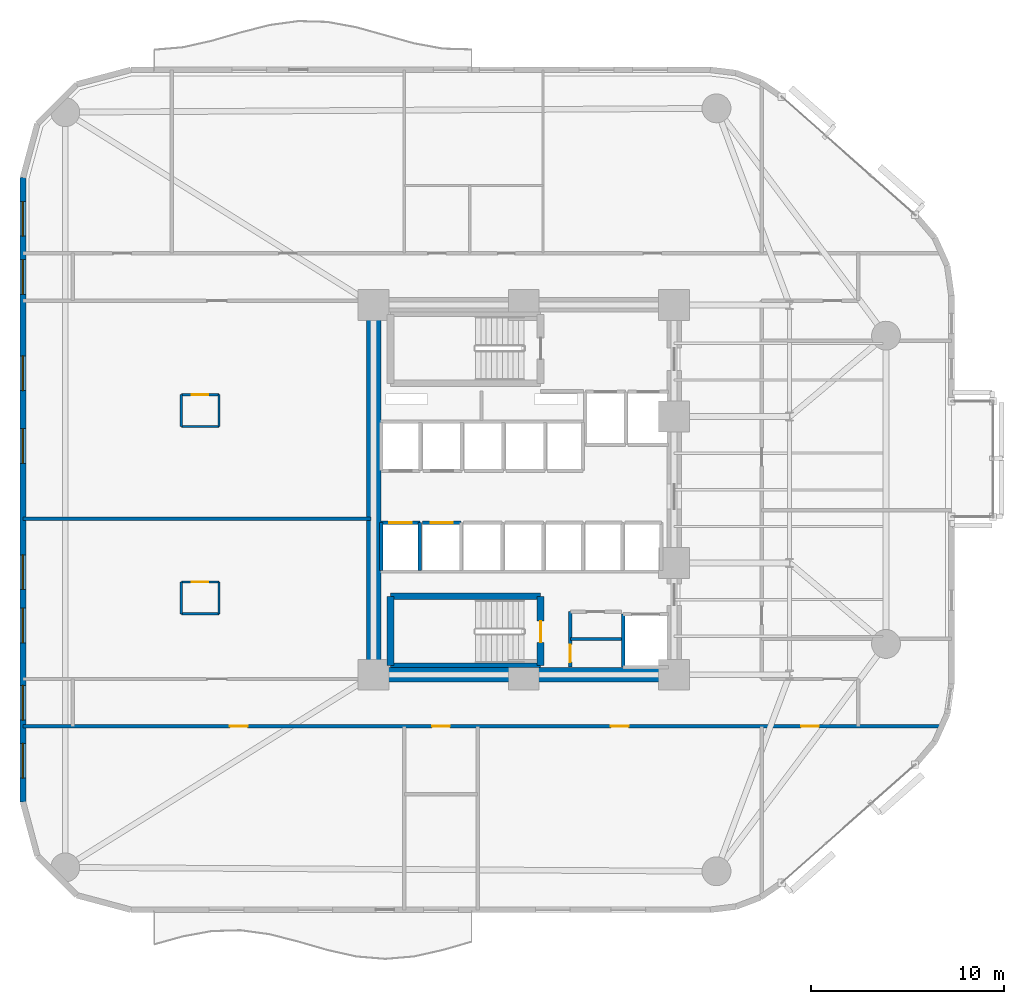
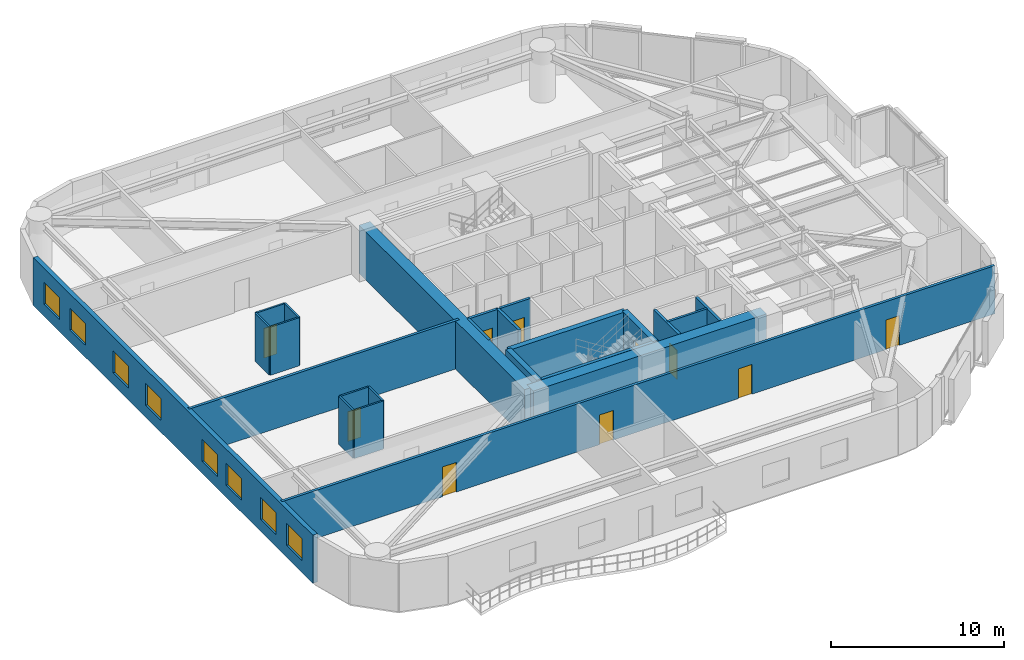
# One storey, part 10 of 16: 24 walls, 10 doors, 8 windows, 18 openings.
"""IFC4 building model written with IfcOpenShell, lengths in metres."""

from ifc_helpers import new_model, si_unit, direction, frame, frame_2d, origin, place, context, subcontext, project, spatial, rectangle, extrude, material, layer, layer_set, type_object, element, fill, save


model = new_model("IFC4")

# Units and contexts
model_context = context("Model", 3, precision=1e-05, world=origin(), true_north=direction((0.0, 1.0)))
body_context = subcontext(model_context, "Body", "Model", "MODEL_VIEW")
ifc_project = project(units=[si_unit("LENGTHUNIT", "METRE"), si_unit("AREAUNIT", "SQUARE_METRE"), si_unit("VOLUMEUNIT", "CUBIC_METRE"), si_unit("PLANEANGLEUNIT", "RADIAN"), si_unit("MASSUNIT", "GRAM", prefix="KILO")], contexts=[model_context])

# Site, building, storey
site_placement = place(None, origin())
site = spatial("IfcSite", under=ifc_project, at=site_placement, CompositionType="ELEMENT")
building_placement = place(site_placement, origin())
building = spatial("IfcBuilding", under=site, at=building_placement, Name="An Khanh Terracotta Commons", CompositionType="ELEMENT")
storey_placement = place(building_placement, frame((0.0, 0.0, 46.800048828125)))
storey = spatial("IfcBuildingStorey", under=building, at=storey_placement, Name="L12", CompositionType="ELEMENT", Elevation=46.800048828125)

# Walls
ifc_material_1 = material(Name="Concrete C70/85", Category="concrete")
ifc_layer_1 = layer(ifc_material_1, 0.75, Name="Concrete C70/85")
ifc_layer_set_1 = layer_set([ifc_layer_1], Name="Concrete C70/85")
wall_type_1 = type_object("IfcWallType", Name="WALL-CORE-750", PredefinedType="SHEAR", material=ifc_layer_set_1)
wall_1_placement = place(storey_placement, frame((21.60009765625, 14.39990234375, 0.0), z_axis=(0.0, 0.0, 1.0), x_axis=(0.0, 1.0, 0.0)))
element("IfcWall", 1, at=wall_1_placement, inside=storey, type_object=wall_type_1, Name="L12 Core Wall CWALL-L12-W", PredefinedType="SHEAR", context=body_context, shape_type="SweptSolid", body=[
    extrude(rectangle(XDim=19.2001953125, YDim=0.75, at=frame_2d((9.60009765625, 0.0))), origin(), (0.0, 0.0, 1.0), 3.39990234375),
])
wall_2_placement = place(storey_placement, frame((37.199951171875, 14.39990234375, 0.0), z_axis=(0.0, 0.0, 1.0), x_axis=(-1.0, 0.0, 0.0)))
element("IfcWall", 2, at=wall_2_placement, inside=storey, type_object=wall_type_1, Name="L12 Core Wall CWALL-L12-S", PredefinedType="SHEAR", context=body_context, shape_type="SweptSolid", body=[
    extrude(rectangle(XDim=15.599853515625, YDim=0.75, at=frame_2d((7.7998046875, 0.0))), origin(), (0.0, 0.0, 1.0), 3.39990234375),
])

# Wall, opening, door
ifc_material_2 = material(Name="Fire-Rated Gypsum Board on Steel Stud", Category="steel")
ifc_layer_2 = layer(ifc_material_2, 0.179931640625, Name="Fire-Rated Gypsum Board on Steel Stud")
ifc_layer_set_2 = layer_set([ifc_layer_2], Name="Fire-Rated Gypsum Board on Steel Stud")
wall_type_2 = type_object("IfcWallType", Name="WALL-CORR-180", PredefinedType="PARTITIONING", material=ifc_layer_set_2)
wall_3_placement = place(storey_placement, frame((31.820068359375, 14.800048828125, 0.0), z_axis=(0.0, 0.0, 1.0), x_axis=(0.0, 1.0, 0.0)))
wall_3 = element("IfcWall", 3, at=wall_3_placement, inside=storey, type_object=wall_type_2, Name="L12 Core Wall SSVCW-L12-W", PredefinedType="PARTITIONING", context=body_context, shape_type="SweptSolid", body=[
    extrude(rectangle(XDim=2.8798828125, YDim=0.179931640625, at=frame_2d((1.43994140625, 0.0))), origin(), (0.0, 0.0, 1.0), 3.39990234375),
])
opening_1_placement = place(wall_3_placement, frame((0.260009765625, 0.0, 0.0)))
opening_1 = element("IfcOpeningElement", 4, at=opening_1_placement, cuts=wall_3, Name="Opening D-SV", PredefinedType="OPENING", context=body_context, shape_type="SweptSolid", body=[
    extrude(rectangle(XDim=0.89990234375, YDim=2.050048828125, at=frame_2d((0.449951171875, 1.02490234375))), frame((0.0, 0.099853515625, 0.0), z_axis=(0.0, -1.0, 0.0), x_axis=(1.0, 0.0, 0.0)), (0.0, 0.0, 1.0), 0.199951171875),
])
ifc_material_3 = material(Name="Fire-Rated Powder-Coated Steel Door", Category="steel")
door_type_1 = type_object("IfcDoorType", Name="DOOR-SERV-900", OperationType="NOTDEFINED", PredefinedType="DOOR", material=ifc_material_3)
door_1_placement = place(opening_1_placement, origin())
door_1 = element("IfcDoor", 5, at=door_1_placement, inside=storey, type_object=door_type_1, Name="L12 Telecoms BMS Cupboard Door", OperationType="SINGLE_SWING_RIGHT", OverallHeight=2.050048828125, OverallWidth=0.89990234375, PredefinedType="DOOR", context=body_context, shape_type="SweptSolid", body=[
    extrude(rectangle(XDim=0.89990234375, YDim=2.050048828125, at=frame_2d((0.449951171875, 1.02490234375))), frame((0.0, 0.02490234375, 0.0), z_axis=(0.0, -1.0, 0.0), x_axis=(1.0, 0.0, 0.0)), (0.0, 0.0, 1.0), 0.050048828125),
])
fill(opening_1, door_1)

# Wall
wall_4_placement = place(storey_placement, frame((34.550048828125, 17.550048828125, 0.0), z_axis=(0.0, 0.0, 1.0), x_axis=(0.0, -1.0, 0.0)))
element("IfcWall", 6, at=wall_4_placement, inside=storey, type_object=wall_type_2, Name="L12 Core Wall LSH-L12-SVL-01-W", PredefinedType="PARTITIONING", context=body_context, shape_type="SweptSolid", body=[
    extrude(rectangle(XDim=2.75, YDim=0.179931640625, at=frame_2d((1.375, 0.0))), origin(), (0.0, 0.0, 1.0), 3.39990234375),
])

# Wall, opening, door
wall_5_placement = place(storey_placement, frame((22.0, 22.300048828125, 0.0), z_axis=(0.0, 0.0, 1.0), x_axis=(1.0, 0.0, 0.0)))
wall_5 = element("IfcWall", 7, at=wall_5_placement, inside=storey, type_object=wall_type_2, Name="L12 Core Wall LSH-L12-PL-L3-N", PredefinedType="PARTITIONING", context=body_context, shape_type="SweptSolid", body=[
    extrude(rectangle(XDim=2.0, YDim=0.179931640625, at=frame_2d((1.0, 0.0))), origin(), (0.0, 0.0, 1.0), 3.39990234375),
])
opening_2_placement = place(wall_5_placement, frame((0.425048828125, 0.0, 0.0)))
opening_2 = element("IfcOpeningElement", 8, at=opening_2_placement, cuts=wall_5, Name="Opening LD-PL-L3-L12", PredefinedType="OPENING", context=body_context, shape_type="SweptSolid", body=[
    extrude(rectangle(XDim=1.14990234375, YDim=2.199951171875, at=frame_2d((0.574951171875, 1.10009765625))), frame((0.0, 0.099853515625, 0.0), z_axis=(0.0, -1.0, 0.0), x_axis=(1.0, 0.0, 0.0)), (0.0, 0.0, 1.0), 0.199951171875),
])
ifc_material_4 = material(Name="Brushed Stainless Steel Passenger Landing Door", Category="steel")
door_type_2 = type_object("IfcDoorType", Name="DOOR-LD-PAX-1150", OperationType="NOTDEFINED", PredefinedType="DOOR", material=ifc_material_4)
door_2_placement = place(opening_2_placement, origin())
door_2 = element("IfcDoor", 9, at=door_2_placement, inside=storey, type_object=door_type_2, Name="L12 Lift PL-L3 Sliding Landing Door", OperationType="DOUBLE_DOOR_SLIDING", OverallHeight=2.199951171875, OverallWidth=1.14990234375, PredefinedType="DOOR", context=body_context, shape_type="SweptSolid", body=[
    extrude(rectangle(XDim=1.14990234375, YDim=2.199951171875, at=frame_2d((0.574951171875, 1.10009765625))), frame((0.0, 0.02490234375, 0.0), z_axis=(0.0, -1.0, 0.0), x_axis=(1.0, 0.0, 0.0)), (0.0, 0.0, 1.0), 0.050048828125),
])
fill(opening_2, door_2)

# Walls
for number, where, z_axis, x_axis, name in (
    (10, (24.0, 19.800048828125, 0.0), (0.0, 0.0, 1.0), (0.0, 1.0, 0.0), "L12 Core Wall LSH-L12-PL-L3-E"),
    (11, (22.0, 22.300048828125, 0.0), (0.0, 0.0, 1.0), (0.0, -1.0, 0.0), "L12 Core Wall LSH-L12-PL-L3-W"),
):
    element("IfcWall", number, at=place(storey_placement, frame(where, z_axis=z_axis, x_axis=x_axis)), inside=storey, type_object=wall_type_2, Name=name, PredefinedType="PARTITIONING", context=body_context, shape_type="SweptSolid", body=[
        extrude(rectangle(XDim=2.5, YDim=0.179931640625, at=frame_2d((1.25, 0.0))), origin(), (0.0, 0.0, 1.0), 3.39990234375),
    ])

# Wall, opening, door
wall_6_placement = place(storey_placement, frame((24.139892578125, 22.300048828125, 0.0), z_axis=(0.0, 0.0, 1.0), x_axis=(1.0, 0.0, 0.0)))
wall_6 = element("IfcWall", 12, at=wall_6_placement, inside=storey, type_object=wall_type_2, Name="L12 Core Wall LSH-L12-PL-L4-N", PredefinedType="PARTITIONING", context=body_context, shape_type="SweptSolid", body=[
    extrude(rectangle(XDim=2.0, YDim=0.179931640625, at=frame_2d((1.0, 0.0))), origin(), (0.0, 0.0, 1.0), 3.39990234375),
])
opening_3_placement = place(wall_6_placement, frame((0.425048828125, 0.0, 0.0)))
opening_3 = element("IfcOpeningElement", 13, at=opening_3_placement, cuts=wall_6, Name="Opening LD-PL-L4-L12", PredefinedType="OPENING", context=body_context, shape_type="SweptSolid", body=[
    extrude(rectangle(XDim=1.14990234375, YDim=2.199951171875, at=frame_2d((0.574951171875, 1.10009765625))), frame((0.0, 0.099853515625, 0.0), z_axis=(0.0, -1.0, 0.0), x_axis=(1.0, 0.0, 0.0)), (0.0, 0.0, 1.0), 0.199951171875),
])
door_3_placement = place(opening_3_placement, origin())
door_3 = element("IfcDoor", 14, at=door_3_placement, inside=storey, type_object=door_type_2, Name="L12 Lift PL-L4 Sliding Landing Door", OperationType="DOUBLE_DOOR_SLIDING", OverallHeight=2.199951171875, OverallWidth=1.14990234375, PredefinedType="DOOR", context=body_context, shape_type="SweptSolid", body=[
    extrude(rectangle(XDim=1.14990234375, YDim=2.199951171875, at=frame_2d((0.574951171875, 1.10009765625))), frame((0.0, 0.02490234375, 0.0), z_axis=(0.0, -1.0, 0.0), x_axis=(1.0, 0.0, 0.0)), (0.0, 0.0, 1.0), 0.050048828125),
])
fill(opening_3, door_3)

# Wall, openings, doors
wall_7_placement = place(storey_placement, frame((3.39990234375, 11.719970703125, 0.0), z_axis=(0.0, 0.0, 1.0), x_axis=(1.0, 0.0, 0.0)))
wall_7 = element("IfcWall", 15, at=wall_7_placement, inside=storey, type_object=wall_type_2, Name="L12 Interior Partition IW-L12-E002", PredefinedType="PARTITIONING", context=body_context, shape_type="SweptSolid", body=[
    extrude(rectangle(XDim=47.689208984375, YDim=0.179931640625, at=frame_2d((23.8447265625, 0.0))), origin(), (0.0, 0.0, 1.0), 3.39990234375),
])
opening_4_placement = place(wall_7_placement, frame((21.239990234375, 0.0, 0.0)))
opening_4 = element("IfcOpeningElement", 16, at=opening_4_placement, cuts=wall_7, Name="Opening D-RM", PredefinedType="OPENING", context=body_context, shape_type="SweptSolid", body=[
    extrude(rectangle(XDim=0.919921875, YDim=2.10009765625, at=frame_2d((0.4599609375, 1.050048828125))), frame((0.0, 0.099853515625, 0.0), z_axis=(0.0, -1.0, 0.0), x_axis=(1.0, 0.0, 0.0)), (0.0, 0.0, 1.0), 0.199951171875),
])
opening_5_placement = place(wall_7_placement, frame((40.389892578125, 0.0, 0.0)))
opening_5 = element("IfcOpeningElement", 17, at=opening_5_placement, cuts=wall_7, Name="Opening D-RM", PredefinedType="OPENING", context=body_context, shape_type="SweptSolid", body=[
    extrude(rectangle(XDim=0.919921875, YDim=2.10009765625, at=frame_2d((0.4599609375, 1.050048828125))), frame((0.0, 0.099853515625, 0.0), z_axis=(0.0, -1.0, 0.0), x_axis=(1.0, 0.0, 0.0)), (0.0, 0.0, 1.0), 0.199951171875),
])
opening_6_placement = place(wall_7_placement, frame((10.739990234375, 0.0, 0.0)))
opening_6 = element("IfcOpeningElement", 18, at=opening_6_placement, cuts=wall_7, Name="Opening D-RM", PredefinedType="OPENING", context=body_context, shape_type="SweptSolid", body=[
    extrude(rectangle(XDim=0.919921875, YDim=2.10009765625, at=frame_2d((0.4599609375, 1.050048828125))), frame((0.0, 0.099853515625, 0.0), z_axis=(0.0, -1.0, 0.0), x_axis=(1.0, 0.0, 0.0)), (0.0, 0.0, 1.0), 0.199951171875),
])
opening_7_placement = place(wall_7_placement, frame((30.514892578125, 0.0, 0.0)))
opening_7 = element("IfcOpeningElement", 19, at=opening_7_placement, cuts=wall_7, Name="Opening D-RM", PredefinedType="OPENING", context=body_context, shape_type="SweptSolid", body=[
    extrude(rectangle(XDim=0.919921875, YDim=2.10009765625, at=frame_2d((0.4599609375, 1.050048828125))), frame((0.0, 0.099853515625, 0.0), z_axis=(0.0, -1.0, 0.0), x_axis=(1.0, 0.0, 0.0)), (0.0, 0.0, 1.0), 0.199951171875),
])
ifc_material_5 = material(Name="Engineered Hardwood Timber Leaf", Category="wood")
door_type_3 = type_object("IfcDoorType", Name="DOOR-INT-920", OperationType="NOTDEFINED", PredefinedType="DOOR", material=ifc_material_5)
door_4_placement = place(opening_4_placement, origin())
door_4 = element("IfcDoor", 20, at=door_4_placement, inside=storey, type_object=door_type_3, Name="L12 HKP Housekeeping Linen Store Door", OperationType="SINGLE_SWING_LEFT", OverallHeight=2.10009765625, OverallWidth=0.919921875, PredefinedType="DOOR", context=body_context, shape_type="SweptSolid", body=[
    extrude(rectangle(XDim=0.919921875, YDim=2.10009765625, at=frame_2d((0.4599609375, 1.050048828125))), frame((0.0, 0.02490234375, 0.0), z_axis=(0.0, -1.0, 0.0), x_axis=(1.0, 0.0, 0.0)), (0.0, 0.0, 1.0), 0.050048828125),
])
fill(opening_4, door_4)
door_5_placement = place(opening_5_placement, origin())
door_5 = element("IfcDoor", 21, at=door_5_placement, inside=storey, type_object=door_type_3, Name="L12 FANS Quiet Focus Office Door", OperationType="SINGLE_SWING_LEFT", OverallHeight=2.10009765625, OverallWidth=0.919921875, PredefinedType="DOOR", context=body_context, shape_type="SweptSolid", body=[
    extrude(rectangle(XDim=0.919921875, YDim=2.10009765625, at=frame_2d((0.4599609375, 1.050048828125))), frame((0.0, 0.02490234375, 0.0), z_axis=(0.0, -1.0, 0.0), x_axis=(1.0, 0.0, 0.0)), (0.0, 0.0, 1.0), 0.050048828125),
])
fill(opening_5, door_5)
door_6_placement = place(opening_6_placement, origin())
door_6 = element("IfcDoor", 22, at=door_6_placement, inside=storey, type_object=door_type_3, Name="L12 SW1 Communal Kitchen and Dining Door", OperationType="SINGLE_SWING_LEFT", OverallHeight=2.10009765625, OverallWidth=0.919921875, PredefinedType="DOOR", context=body_context, shape_type="SweptSolid", body=[
    extrude(rectangle(XDim=0.919921875, YDim=2.10009765625, at=frame_2d((0.4599609375, 1.050048828125))), frame((0.0, 0.02490234375, 0.0), z_axis=(0.0, -1.0, 0.0), x_axis=(1.0, 0.0, 0.0)), (0.0, 0.0, 1.0), 0.050048828125),
])
fill(opening_6, door_6)
door_7_placement = place(opening_7_placement, origin())
door_7 = element("IfcDoor", 23, at=door_7_placement, inside=storey, type_object=door_type_3, Name="L12 SWE Communal Kitchen and Dining Door", OperationType="SINGLE_SWING_RIGHT", OverallHeight=2.10009765625, OverallWidth=0.919921875, PredefinedType="DOOR", context=body_context, shape_type="SweptSolid", body=[
    extrude(rectangle(XDim=0.919921875, YDim=2.10009765625, at=frame_2d((0.4599609375, 1.050048828125))), frame((0.0, 0.02490234375, 0.0), z_axis=(0.0, -1.0, 0.0), x_axis=(1.0, 0.0, 0.0)), (0.0, 0.0, 1.0), 0.050048828125),
])
fill(opening_7, door_7)

# Wall
wall_8_placement = place(storey_placement, frame((3.39990234375, 22.5, 0.0), z_axis=(0.0, 0.0, 1.0), x_axis=(1.0, 0.0, 0.0)))
element("IfcWall", 24, at=wall_8_placement, inside=storey, type_object=wall_type_2, Name="L12 Interior Partition IW-L12-E006", PredefinedType="PARTITIONING", context=body_context, shape_type="SweptSolid", body=[
    extrude(rectangle(XDim=18.080078125, YDim=0.179931640625, at=frame_2d((9.0400390625, 0.0))), origin(), (0.0, 0.0, 1.0), 3.39990234375),
])

# Wall, openings, windows
ifc_material_6 = material(Name="Precast concrete C40/50", Category="concrete")
ifc_layer_3 = layer(ifc_material_6, 0.300048828125, Name="Precast concrete C40/50")
ifc_layer_set_3 = layer_set([ifc_layer_3], Name="Precast concrete C40/50")
wall_type_3 = type_object("IfcWallType", Name="WALL-EXT-300", PredefinedType="SOLIDWALL", material=ifc_layer_set_3)
wall_9_placement = place(storey_placement, frame((3.39990234375, 40.199951171875, 0.0), z_axis=(0.0, 0.0, 1.0), x_axis=(0.0, -1.0, 0.0)))
wall_9 = element("IfcWall", 25, at=wall_9_placement, inside=storey, type_object=wall_type_3, Name="L12 Insulated Terracotta Exterior Wall 24", PredefinedType="SOLIDWALL", context=body_context, shape_type="SweptSolid", body=[
    extrude(rectangle(XDim=32.39990234375, YDim=0.300048828125, at=frame_2d((16.199951171875, 0.0))), origin(), (0.0, 0.0, 1.0), 3.39990234375),
])
opening_8_placement = place(wall_9_placement, frame((1.235107421875, 0.0, 0.85009765625)))
opening_8 = element("IfcOpeningElement", 26, at=opening_8_placement, cuts=wall_9, Name="Opening W-01", PredefinedType="OPENING", context=body_context, shape_type="SweptSolid", body=[
    extrude(rectangle(XDim=1.800048828125, YDim=1.550048828125, at=frame_2d((0.89990234375, 0.77490234375))), frame((0.0, 0.159912109375, 0.0), z_axis=(0.0, -1.0, 0.0), x_axis=(1.0, 0.0, 0.0)), (0.0, 0.0, 1.0), 0.320068359375),
])
opening_9_placement = place(wall_9_placement, frame((4.25, 0.0, 0.85009765625)))
opening_9 = element("IfcOpeningElement", 27, at=opening_9_placement, cuts=wall_9, Name="Opening W-01", PredefinedType="OPENING", context=body_context, shape_type="SweptSolid", body=[
    extrude(rectangle(XDim=1.800048828125, YDim=1.550048828125, at=frame_2d((0.89990234375, 0.77490234375))), frame((0.0, 0.159912109375, 0.0), z_axis=(0.0, -1.0, 0.0), x_axis=(1.0, 0.0, 0.0)), (0.0, 0.0, 1.0), 0.320068359375),
])
opening_10_placement = place(wall_9_placement, frame((9.2529296875, 0.0, 0.85009765625)))
opening_10 = element("IfcOpeningElement", 28, at=opening_10_placement, cuts=wall_9, Name="Opening W-01", PredefinedType="OPENING", context=body_context, shape_type="SweptSolid", body=[
    extrude(rectangle(XDim=1.800048828125, YDim=1.550048828125, at=frame_2d((0.89990234375, 0.77490234375))), frame((0.0, 0.159912109375, 0.0), z_axis=(0.0, -1.0, 0.0), x_axis=(1.0, 0.0, 0.0)), (0.0, 0.0, 1.0), 0.320068359375),
])
opening_11_placement = place(wall_9_placement, frame((13.027099609375, 0.0, 0.85009765625)))
opening_11 = element("IfcOpeningElement", 29, at=opening_11_placement, cuts=wall_9, Name="Opening W-01", PredefinedType="OPENING", context=body_context, shape_type="SweptSolid", body=[
    extrude(rectangle(XDim=1.800048828125, YDim=1.550048828125, at=frame_2d((0.89990234375, 0.77490234375))), frame((0.0, 0.159912109375, 0.0), z_axis=(0.0, -1.0, 0.0), x_axis=(1.0, 0.0, 0.0)), (0.0, 0.0, 1.0), 0.320068359375),
])
opening_12_placement = place(wall_9_placement, frame((19.572998046875, 0.0, 0.85009765625)))
opening_12 = element("IfcOpeningElement", 30, at=opening_12_placement, cuts=wall_9, Name="Opening W-01", PredefinedType="OPENING", context=body_context, shape_type="SweptSolid", body=[
    extrude(rectangle(XDim=1.800048828125, YDim=1.550048828125, at=frame_2d((0.89990234375, 0.77490234375))), frame((0.0, 0.159912109375, 0.0), z_axis=(0.0, -1.0, 0.0), x_axis=(1.0, 0.0, 0.0)), (0.0, 0.0, 1.0), 0.320068359375),
])
opening_13_placement = place(wall_9_placement, frame((22.346923828125, 0.0, 0.85009765625)))
opening_13 = element("IfcOpeningElement", 31, at=opening_13_placement, cuts=wall_9, Name="Opening W-01", PredefinedType="OPENING", context=body_context, shape_type="SweptSolid", body=[
    extrude(rectangle(XDim=1.800048828125, YDim=1.550048828125, at=frame_2d((0.89990234375, 0.77490234375))), frame((0.0, 0.159912109375, 0.0), z_axis=(0.0, -1.0, 0.0), x_axis=(1.0, 0.0, 0.0)), (0.0, 0.0, 1.0), 0.320068359375),
])
opening_14_placement = place(wall_9_placement, frame((26.35009765625, 0.0, 0.85009765625)))
opening_14 = element("IfcOpeningElement", 32, at=opening_14_placement, cuts=wall_9, Name="Opening W-01", PredefinedType="OPENING", context=body_context, shape_type="SweptSolid", body=[
    extrude(rectangle(XDim=1.800048828125, YDim=1.550048828125, at=frame_2d((0.89990234375, 0.77490234375))), frame((0.0, 0.159912109375, 0.0), z_axis=(0.0, -1.0, 0.0), x_axis=(1.0, 0.0, 0.0)), (0.0, 0.0, 1.0), 0.320068359375),
])
opening_15_placement = place(wall_9_placement, frame((29.364990234375, 0.0, 0.85009765625)))
opening_15 = element("IfcOpeningElement", 33, at=opening_15_placement, cuts=wall_9, Name="Opening W-01", PredefinedType="OPENING", context=body_context, shape_type="SweptSolid", body=[
    extrude(rectangle(XDim=1.800048828125, YDim=1.550048828125, at=frame_2d((0.89990234375, 0.77490234375))), frame((0.0, 0.159912109375, 0.0), z_axis=(0.0, -1.0, 0.0), x_axis=(1.0, 0.0, 0.0)), (0.0, 0.0, 1.0), 0.320068359375),
])
ifc_material_7 = material(Name="Thermally Broken Aluminium and Low-E Glass", Category="aluminium")
window_type = type_object("IfcWindowType", Name="WIN-Z1-1800x1550", PartitioningType="DOUBLE_PANEL_VERTICAL", PredefinedType="WINDOW", material=ifc_material_7)
window_1_placement = place(opening_8_placement, origin())
window_1 = element("IfcWindow", 34, at=window_1_placement, inside=storey, type_object=window_type, Name="L12 Operable Casement Window 24.1", OverallHeight=1.550048828125, OverallWidth=1.800048828125, PartitioningType="DOUBLE_PANEL_VERTICAL", PredefinedType="WINDOW", context=body_context, shape_type="SweptSolid", body=[
    extrude(rectangle(XDim=1.800048828125, YDim=1.550048828125, at=frame_2d((0.89990234375, 0.77490234375))), frame((0.0, 0.030029296875, 0.0), z_axis=(0.0, -1.0, 0.0), x_axis=(1.0, 0.0, 0.0)), (0.0, 0.0, 1.0), 0.06005859375),
])
fill(opening_8, window_1)
window_2_placement = place(opening_9_placement, origin())
window_2 = element("IfcWindow", 35, at=window_2_placement, inside=storey, type_object=window_type, Name="L12 Operable Casement Window 24.2", OverallHeight=1.550048828125, OverallWidth=1.800048828125, PartitioningType="DOUBLE_PANEL_VERTICAL", PredefinedType="WINDOW", context=body_context, shape_type="SweptSolid", body=[
    extrude(rectangle(XDim=1.800048828125, YDim=1.550048828125, at=frame_2d((0.89990234375, 0.77490234375))), frame((0.0, 0.030029296875, 0.0), z_axis=(0.0, -1.0, 0.0), x_axis=(1.0, 0.0, 0.0)), (0.0, 0.0, 1.0), 0.06005859375),
])
fill(opening_9, window_2)
window_3_placement = place(opening_10_placement, origin())
window_3 = element("IfcWindow", 36, at=window_3_placement, inside=storey, type_object=window_type, Name="L12 Operable Casement Window 24.3", OverallHeight=1.550048828125, OverallWidth=1.800048828125, PartitioningType="DOUBLE_PANEL_VERTICAL", PredefinedType="WINDOW", context=body_context, shape_type="SweptSolid", body=[
    extrude(rectangle(XDim=1.800048828125, YDim=1.550048828125, at=frame_2d((0.89990234375, 0.77490234375))), frame((0.0, 0.030029296875, 0.0), z_axis=(0.0, -1.0, 0.0), x_axis=(1.0, 0.0, 0.0)), (0.0, 0.0, 1.0), 0.06005859375),
])
fill(opening_10, window_3)
window_4_placement = place(opening_11_placement, origin())
window_4 = element("IfcWindow", 37, at=window_4_placement, inside=storey, type_object=window_type, Name="L12 Operable Casement Window 24.4", OverallHeight=1.550048828125, OverallWidth=1.800048828125, PartitioningType="DOUBLE_PANEL_VERTICAL", PredefinedType="WINDOW", context=body_context, shape_type="SweptSolid", body=[
    extrude(rectangle(XDim=1.800048828125, YDim=1.550048828125, at=frame_2d((0.89990234375, 0.77490234375))), frame((0.0, 0.030029296875, 0.0), z_axis=(0.0, -1.0, 0.0), x_axis=(1.0, 0.0, 0.0)), (0.0, 0.0, 1.0), 0.06005859375),
])
fill(opening_11, window_4)
window_5_placement = place(opening_12_placement, origin())
window_5 = element("IfcWindow", 38, at=window_5_placement, inside=storey, type_object=window_type, Name="L12 Operable Casement Window 24.5", OverallHeight=1.550048828125, OverallWidth=1.800048828125, PartitioningType="DOUBLE_PANEL_VERTICAL", PredefinedType="WINDOW", context=body_context, shape_type="SweptSolid", body=[
    extrude(rectangle(XDim=1.800048828125, YDim=1.550048828125, at=frame_2d((0.89990234375, 0.77490234375))), frame((0.0, 0.030029296875, 0.0), z_axis=(0.0, -1.0, 0.0), x_axis=(1.0, 0.0, 0.0)), (0.0, 0.0, 1.0), 0.06005859375),
])
fill(opening_12, window_5)
window_6_placement = place(opening_13_placement, origin())
window_6 = element("IfcWindow", 39, at=window_6_placement, inside=storey, type_object=window_type, Name="L12 Operable Casement Window 24.6", OverallHeight=1.550048828125, OverallWidth=1.800048828125, PartitioningType="DOUBLE_PANEL_VERTICAL", PredefinedType="WINDOW", context=body_context, shape_type="SweptSolid", body=[
    extrude(rectangle(XDim=1.800048828125, YDim=1.550048828125, at=frame_2d((0.89990234375, 0.77490234375))), frame((0.0, 0.030029296875, 0.0), z_axis=(0.0, -1.0, 0.0), x_axis=(1.0, 0.0, 0.0)), (0.0, 0.0, 1.0), 0.06005859375),
])
fill(opening_13, window_6)
window_7_placement = place(opening_14_placement, origin())
window_7 = element("IfcWindow", 40, at=window_7_placement, inside=storey, type_object=window_type, Name="L12 Operable Casement Window 24.7", OverallHeight=1.550048828125, OverallWidth=1.800048828125, PartitioningType="DOUBLE_PANEL_VERTICAL", PredefinedType="WINDOW", context=body_context, shape_type="SweptSolid", body=[
    extrude(rectangle(XDim=1.800048828125, YDim=1.550048828125, at=frame_2d((0.89990234375, 0.77490234375))), frame((0.0, 0.030029296875, 0.0), z_axis=(0.0, -1.0, 0.0), x_axis=(1.0, 0.0, 0.0)), (0.0, 0.0, 1.0), 0.06005859375),
])
fill(opening_14, window_7)
window_8_placement = place(opening_15_placement, origin())
window_8 = element("IfcWindow", 41, at=window_8_placement, inside=storey, type_object=window_type, Name="L12 Operable Casement Window 24.8", OverallHeight=1.550048828125, OverallWidth=1.800048828125, PartitioningType="DOUBLE_PANEL_VERTICAL", PredefinedType="WINDOW", context=body_context, shape_type="SweptSolid", body=[
    extrude(rectangle(XDim=1.800048828125, YDim=1.550048828125, at=frame_2d((0.89990234375, 0.77490234375))), frame((0.0, 0.030029296875, 0.0), z_axis=(0.0, -1.0, 0.0), x_axis=(1.0, 0.0, 0.0)), (0.0, 0.0, 1.0), 0.06005859375),
])
fill(opening_15, window_8)

# Walls
ifc_material_8 = material(Name="Acoustic Gypsum Board Partition")
ifc_layer_4 = layer(ifc_material_8, 0.14990234375, Name="Acoustic Gypsum Board Partition")
ifc_layer_set_4 = layer_set([ifc_layer_4], Name="Acoustic Gypsum Board Partition")
wall_type_4 = type_object("IfcWallType", Name="WALL-PART-150", PredefinedType="PARTITIONING", material=ifc_layer_set_4)
wall_10_placement = place(storey_placement, frame((31.820068359375, 16.260009765625, 0.0), z_axis=(0.0, 0.0, 1.0), x_axis=(1.0, 0.0, 0.0)))
element("IfcWall", 42, at=wall_10_placement, inside=storey, type_object=wall_type_4, Name="L12 Core Wall SSVCW-L12-M", PredefinedType="PARTITIONING", context=body_context, shape_type="SweptSolid", body=[
    extrude(rectangle(XDim=2.659912109375, YDim=0.14990234375, at=frame_2d((1.330078125, 0.0))), origin(), (0.0, 0.0, 1.0), 3.39990234375),
])
ifc_material_9 = material(Name="Acoustic Double-Stud Gypsum and Mineral Wool")
ifc_layer_5 = layer(ifc_material_9, 0.219970703125, Name="Acoustic Double-Stud Gypsum and Mineral Wool")
ifc_layer_set_5 = layer_set([ifc_layer_5], Name="Acoustic Double-Stud Gypsum and Mineral Wool")
wall_type_5 = type_object("IfcWallType", Name="WALL-PARTY-220", PredefinedType="PARTITIONING", material=ifc_layer_set_5)
wall_11_placement = place(storey_placement, frame((22.47998046875, 14.889892578125, 0.0), z_axis=(0.0, 0.0, 1.0), x_axis=(1.0, 0.0, 0.0)))
element("IfcWall", 43, at=wall_11_placement, inside=storey, type_object=wall_type_5, Name="L12 Core Wall STW-L12-S-S", PredefinedType="PARTITIONING", context=body_context, shape_type="SweptSolid", body=[
    extrude(rectangle(XDim=7.7900390625, YDim=0.219970703125, at=frame_2d((3.89501953125, 0.0))), origin(), (0.0, 0.0, 1.0), 3.39990234375),
])
ifc_material_10 = material(Name="Concrete C50/60", Category="concrete")
ifc_layer_6 = layer(ifc_material_10, 0.35009765625, Name="Concrete C50/60")
ifc_layer_set_6 = layer_set([ifc_layer_6], Name="Concrete C50/60")
wall_type_6 = type_object("IfcWallType", Name="WALL-SHAFT-350", PredefinedType="SOLIDWALL", material=ifc_layer_set_6)
wall_12_placement = place(storey_placement, frame((22.47998046875, 18.469970703125, 0.0), z_axis=(0.0, 0.0, 1.0), x_axis=(1.0, 0.0, 0.0)))
element("IfcWall", 44, at=wall_12_placement, inside=storey, type_object=wall_type_6, Name="L12 Core Wall STW-L12-S-N", PredefinedType="SOLIDWALL", context=body_context, shape_type="SweptSolid", body=[
    extrude(rectangle(XDim=7.7900390625, YDim=0.35009765625, at=frame_2d((3.89501953125, 0.0))), origin(), (0.0, 0.0, 1.0), 3.39990234375),
])
wall_13_placement = place(storey_placement, frame((22.47998046875, 14.889892578125, 0.0), z_axis=(0.0, 0.0, 1.0), x_axis=(0.0, 1.0, 0.0)))
element("IfcWall", 45, at=wall_13_placement, inside=storey, type_object=wall_type_6, Name="L12 Core Wall STW-L12-S-W", PredefinedType="SOLIDWALL", context=body_context, shape_type="SweptSolid", body=[
    extrude(rectangle(XDim=3.580078125, YDim=0.35009765625, at=frame_2d((1.7900390625, 0.0))), origin(), (0.0, 0.0, 1.0), 3.39990234375),
])

# Wall, opening, door
wall_14_placement = place(storey_placement, frame((30.27001953125, 14.889892578125, 0.0), z_axis=(0.0, 0.0, 1.0), x_axis=(0.0, 1.0, 0.0)))
wall_14 = element("IfcWall", 46, at=wall_14_placement, inside=storey, type_object=wall_type_6, Name="L12 Core Wall STW-L12-S-E", PredefinedType="SOLIDWALL", context=body_context, shape_type="SweptSolid", body=[
    extrude(rectangle(XDim=3.580078125, YDim=0.35009765625, at=frame_2d((1.7900390625, 0.0))), origin(), (0.0, 0.0, 1.0), 3.39990234375),
])
opening_16_placement = place(wall_14_placement, frame((1.18994140625, 0.0, 0.0)))
opening_16 = element("IfcOpeningElement", 47, at=opening_16_placement, cuts=wall_14, Name="Opening D-ST", PredefinedType="OPENING", context=body_context, shape_type="SweptSolid", body=[
    extrude(rectangle(XDim=1.10009765625, YDim=2.14990234375, at=frame_2d((0.550048828125, 1.074951171875))), frame((0.0, 0.18505859375, 0.0), z_axis=(0.0, -1.0, 0.0), x_axis=(1.0, 0.0, 0.0)), (0.0, 0.0, 1.0), 0.3701171875),
])
ifc_material_11 = material(Name="Fire-Rated Steel Leaf and Frame", Category="steel")
door_type_4 = type_object("IfcDoorType", Name="DOOR-STAIR-1100", OperationType="NOTDEFINED", PredefinedType="DOOR", material=ifc_material_11)
door_8_placement = place(opening_16_placement, origin())
door_8 = element("IfcDoor", 48, at=door_8_placement, inside=storey, type_object=door_type_4, Name="L12 Stair ST-02 Fire Door", OperationType="SINGLE_SWING_RIGHT", OverallHeight=2.14990234375, OverallWidth=1.10009765625, PredefinedType="DOOR", context=body_context, shape_type="SweptSolid", body=[
    extrude(rectangle(XDim=1.10009765625, YDim=2.14990234375, at=frame_2d((0.550048828125, 1.074951171875))), frame((0.0, 0.02490234375, 0.0), z_axis=(0.0, -1.0, 0.0), x_axis=(1.0, 0.0, 0.0)), (0.0, 0.0, 1.0), 0.050048828125),
])
fill(opening_16, door_8)

ifc_material_12 = material(Name="Moisture-Resistant Cement Board Partition")
ifc_layer_7 = layer(ifc_material_12, 0.1201171875, Name="Moisture-Resistant Cement Board Partition")
ifc_layer_set_7 = layer_set([ifc_layer_7], Name="Moisture-Resistant Cement Board Partition")
wall_type_7 = type_object("IfcWallType", Name="WALL-WET-120", PredefinedType="PARTITIONING", material=ifc_layer_set_7)
wall_15_placement = place(storey_placement, frame((11.625, 19.215087890625, 0.0), z_axis=(0.0, 0.0, 1.0), x_axis=(1.0, 0.0, 0.0)))
wall_15 = element("IfcWall", 49, at=wall_15_placement, inside=storey, type_object=wall_type_7, Name="L12 Interior Partition IW-L12-WW1-BN", PredefinedType="PARTITIONING", context=body_context, shape_type="SweptSolid", body=[
    extrude(rectangle(XDim=1.949951171875, YDim=0.1201171875, at=frame_2d((0.97509765625, 0.0))), origin(), (0.0, 0.0, 1.0), 3.39990234375),
])
opening_17_placement = place(wall_15_placement, frame((0.544921875, 0.0, 0.0)))
opening_17 = element("IfcOpeningElement", 50, at=opening_17_placement, cuts=wall_15, Name="Opening D-ENS", PredefinedType="OPENING", context=body_context, shape_type="SweptSolid", body=[
    extrude(rectangle(XDim=0.860107421875, YDim=2.10009765625, at=frame_2d((0.43017578125, 1.050048828125))), frame((0.0, 0.070068359375, 0.0), z_axis=(0.0, -1.0, 0.0), x_axis=(1.0, 0.0, 0.0)), (0.0, 0.0, 1.0), 0.14013671875),
])
ifc_material_13 = material(Name="Moisture-Resistant Hardwood Timber Leaf", Category="wood")
door_type_5 = type_object("IfcDoorType", Name="DOOR-BATH-860", OperationType="NOTDEFINED", PredefinedType="DOOR", material=ifc_material_13)
door_9_placement = place(opening_17_placement, origin())
door_9 = element("IfcDoor", 51, at=door_9_placement, inside=storey, type_object=door_type_5, Name="L12 Studio WW1 En-suite Door", OperationType="SINGLE_SWING_LEFT", OverallHeight=2.10009765625, OverallWidth=0.860107421875, PredefinedType="DOOR", context=body_context, shape_type="SweptSolid", body=[
    extrude(rectangle(XDim=0.860107421875, YDim=2.10009765625, at=frame_2d((0.43017578125, 1.050048828125))), frame((0.0, 0.02490234375, 0.0), z_axis=(0.0, -1.0, 0.0), x_axis=(1.0, 0.0, 0.0)), (0.0, 0.0, 1.0), 0.050048828125),
])
fill(opening_17, door_9)

# Walls
wall_16_placement = place(storey_placement, frame((13.574951171875, 17.56494140625, 0.0), z_axis=(0.0, 0.0, 1.0), x_axis=(-1.0, 0.0, 0.0)))
element("IfcWall", 52, at=wall_16_placement, inside=storey, type_object=wall_type_7, Name="L12 Interior Partition IW-L12-WW1-BS", PredefinedType="PARTITIONING", context=body_context, shape_type="SweptSolid", body=[
    extrude(rectangle(XDim=1.949951171875, YDim=0.1201171875, at=frame_2d((0.97509765625, 0.0))), origin(), (0.0, 0.0, 1.0), 3.39990234375),
])
for number, where, z_axis, x_axis, name in (
    (53, (11.625, 19.215087890625, 0.0), (0.0, 0.0, 1.0), (0.0, -1.0, 0.0), "L12 Interior Partition IW-L12-WW1-BW"),
    (54, (13.574951171875, 17.56494140625, 0.0), (0.0, 0.0, 1.0), (0.0, 1.0, 0.0), "L12 Interior Partition IW-L12-WW1-BE"),
):
    element("IfcWall", number, at=place(storey_placement, frame(where, z_axis=z_axis, x_axis=x_axis)), inside=storey, type_object=wall_type_7, Name=name, PredefinedType="PARTITIONING", context=body_context, shape_type="SweptSolid", body=[
        extrude(rectangle(XDim=1.650146484375, YDim=0.1201171875, at=frame_2d((0.8251953125, 0.0))), origin(), (0.0, 0.0, 1.0), 3.39990234375),
    ])

# Wall, opening, door
wall_17_placement = place(storey_placement, frame((11.625, 28.93505859375, 0.0), z_axis=(0.0, 0.0, 1.0), x_axis=(1.0, 0.0, 0.0)))
wall_17 = element("IfcWall", 55, at=wall_17_placement, inside=storey, type_object=wall_type_7, Name="L12 Interior Partition IW-L12-WW2-BN", PredefinedType="PARTITIONING", context=body_context, shape_type="SweptSolid", body=[
    extrude(rectangle(XDim=1.949951171875, YDim=0.1201171875, at=frame_2d((0.97509765625, 0.0))), origin(), (0.0, 0.0, 1.0), 3.39990234375),
])
opening_18_placement = place(wall_17_placement, frame((0.544921875, 0.0, 0.0)))
opening_18 = element("IfcOpeningElement", 56, at=opening_18_placement, cuts=wall_17, Name="Opening D-ENS", PredefinedType="OPENING", context=body_context, shape_type="SweptSolid", body=[
    extrude(rectangle(XDim=0.860107421875, YDim=2.10009765625, at=frame_2d((0.43017578125, 1.050048828125))), frame((0.0, 0.070068359375, 0.0), z_axis=(0.0, -1.0, 0.0), x_axis=(1.0, 0.0, 0.0)), (0.0, 0.0, 1.0), 0.14013671875),
])
door_10_placement = place(opening_18_placement, origin())
door_10 = element("IfcDoor", 57, at=door_10_placement, inside=storey, type_object=door_type_5, Name="L12 Studio WW2 En-suite Door", OperationType="SINGLE_SWING_RIGHT", OverallHeight=2.10009765625, OverallWidth=0.860107421875, PredefinedType="DOOR", context=body_context, shape_type="SweptSolid", body=[
    extrude(rectangle(XDim=0.860107421875, YDim=2.10009765625, at=frame_2d((0.43017578125, 1.050048828125))), frame((0.0, 0.02490234375, 0.0), z_axis=(0.0, -1.0, 0.0), x_axis=(1.0, 0.0, 0.0)), (0.0, 0.0, 1.0), 0.050048828125),
])
fill(opening_18, door_10)

# Walls
wall_18_placement = place(storey_placement, frame((13.574951171875, 27.284912109375, 0.0), z_axis=(0.0, 0.0, 1.0), x_axis=(-1.0, 0.0, 0.0)))
element("IfcWall", 58, at=wall_18_placement, inside=storey, type_object=wall_type_7, Name="L12 Interior Partition IW-L12-WW2-BS", PredefinedType="PARTITIONING", context=body_context, shape_type="SweptSolid", body=[
    extrude(rectangle(XDim=1.949951171875, YDim=0.1201171875, at=frame_2d((0.97509765625, 0.0))), origin(), (0.0, 0.0, 1.0), 3.39990234375),
])
for number, where, z_axis, x_axis, name in (
    (59, (11.625, 28.93505859375, 0.0), (0.0, 0.0, 1.0), (0.0, -1.0, 0.0), "L12 Interior Partition IW-L12-WW2-BW"),
    (60, (13.574951171875, 27.284912109375, 0.0), (0.0, 0.0, 1.0), (0.0, 1.0, 0.0), "L12 Interior Partition IW-L12-WW2-BE"),
):
    element("IfcWall", number, at=place(storey_placement, frame(where, z_axis=z_axis, x_axis=x_axis)), inside=storey, type_object=wall_type_7, Name=name, PredefinedType="PARTITIONING", context=body_context, shape_type="SweptSolid", body=[
        extrude(rectangle(XDim=1.650146484375, YDim=0.1201171875, at=frame_2d((0.8251953125, 0.0))), origin(), (0.0, 0.0, 1.0), 3.39990234375),
    ])

save(model, "model.ifc")
